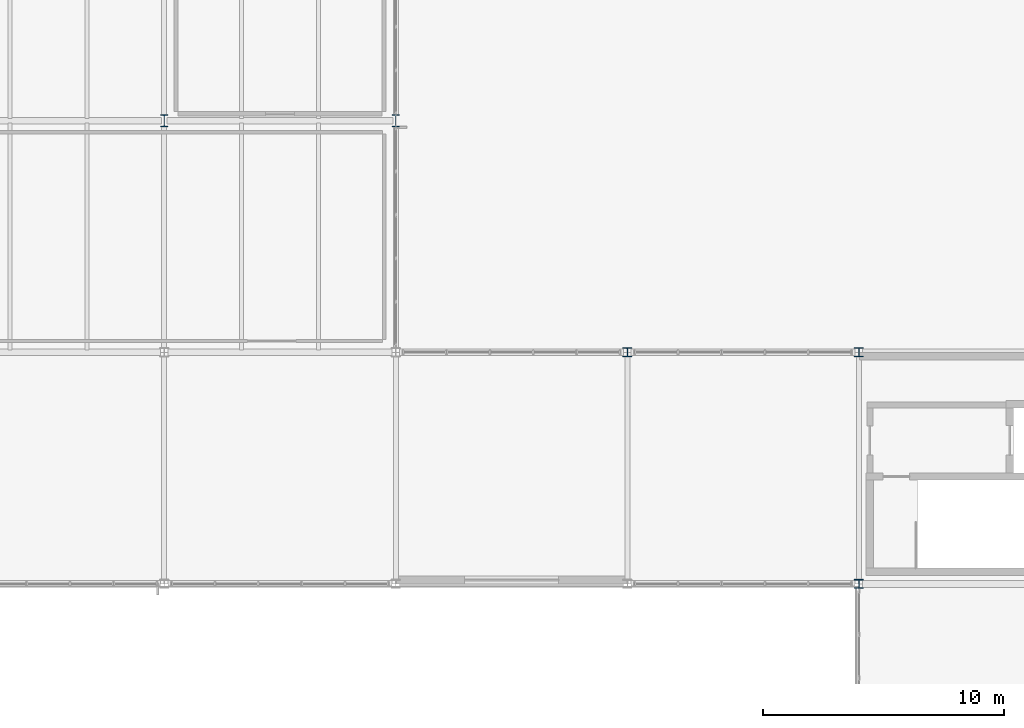
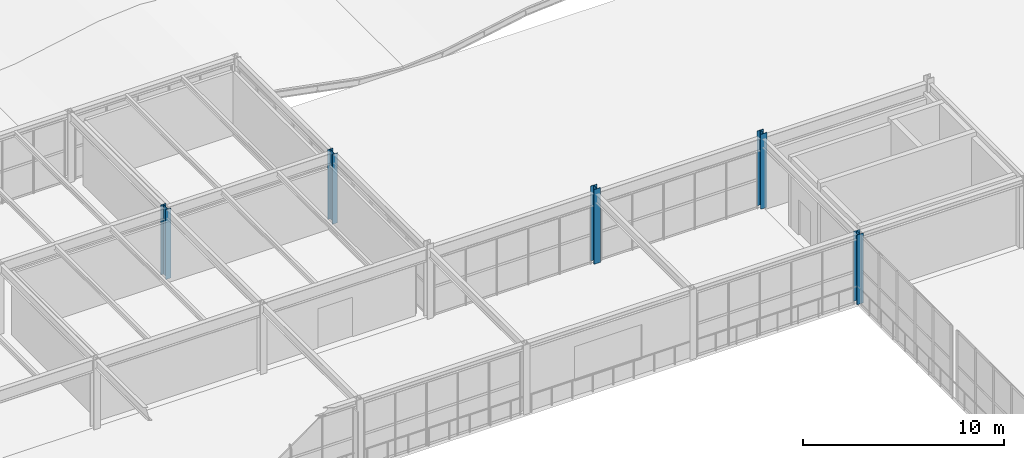
# One storey, part 10 of 170: 5 columns.
"""IFC4 building model written with IfcOpenShell, lengths in metres."""

import ifcopenshell
import ifcopenshell.guid

model = None  # the IFC model being written
_history = None  # IfcOwnerHistory: only IFC2X3 demands one
_inside = {}  # id of a spatial element -> (the spatial element, [elements in it])
_under = {}  # id of a project, library or spatial element -> (it, [spatial elements below it])
_declared = {}  # id of a project -> (the project, [libraries it declares])
_typed = {}  # id of a type object -> (the type object, [elements of that type])
_made_of = {}  # id of a material, layer set ... -> (it, [elements and type objects made of it])


def new_model(schema):
    """Start an empty IFC model of exactly this schema.

    Asked for "IFC4X3", IfcOpenShell would pick the latest addendum, in which some entities
    have other attributes; the version numbers below select the first issue.
    IFC2X3 requires an IfcOwnerHistory on every rooted entity: one is made here for all.
    """
    global model, _history
    if schema == "IFC4X3":
        model = ifcopenshell.file(schema_version=(4, 3, 0, 0))
    else:
        model = ifcopenshell.file(schema=schema)
    _inside.clear()
    _under.clear()
    _declared.clear()
    _typed.clear()
    _made_of.clear()
    _history = None
    if model.schema == "IFC2X3":
        org = make("IfcOrganization", Name="unknown")
        user = make(
            "IfcPersonAndOrganization",
            ThePerson=make("IfcPerson", FamilyName="unknown"),
            TheOrganization=org,
        )
        app = make(
            "IfcApplication",
            ApplicationDeveloper=org,
            Version="unknown",
            ApplicationFullName="unknown",
            ApplicationIdentifier="unknown",
        )
        _history = make(
            "IfcOwnerHistory",
            OwningUser=user,
            OwningApplication=app,
            ChangeAction="ADDED",
            CreationDate=0,
        )
    return model


def make(cls, **values):
    """One entity of the class cls with the attributes given. An attribute that is None is left unset."""
    return model.create_entity(
        cls, **{name: value for name, value in values.items() if value is not None}
    )


def rooted(cls, **values):
    """An entity with a GlobalId (a new one), such as an element, a storey or a relation."""
    return make(cls, GlobalId=ifcopenshell.guid.new(), OwnerHistory=_history, **values)


def si_unit(unit_type, name, prefix=None):
    """IfcSIUnit, for example si_unit("LENGTHUNIT", "METRE", prefix="MILLI")."""
    return make("IfcSIUnit", UnitType=unit_type, Prefix=prefix, Name=name)


def assignment(units):
    """IfcUnitAssignment: the units of a project."""
    return None if units is None else make("IfcUnitAssignment", Units=units)


def point(xyz):
    """IfcCartesianPoint."""
    return None if xyz is None else make("IfcCartesianPoint", Coordinates=xyz)


def direction(xyz):
    """IfcDirection."""
    return None if xyz is None else make("IfcDirection", DirectionRatios=xyz)


def frame(location, z_axis=None, x_axis=None):
    """IfcAxis2Placement3D, a coordinate frame: its origin and axes. An axis left out is left unset."""
    return make(
        "IfcAxis2Placement3D",
        Location=point(location),
        Axis=direction(z_axis),
        RefDirection=direction(x_axis),
    )


def frame_2d(location, x_axis=None):
    """IfcAxis2Placement2D, a coordinate frame in the plane: its origin and x axis."""
    return make(
        "IfcAxis2Placement2D", Location=point(location), RefDirection=direction(x_axis)
    )


def origin():
    """The frame at (0, 0, 0) with its axes left unset."""
    return frame((0.0, 0.0, 0.0))


def origin_2d():
    """The frame at (0, 0) in the plane with its x axis left unset."""
    return frame_2d((0.0, 0.0))


def place(relative_to, where):
    """IfcLocalPlacement: puts the frame where relative to a parent placement (None: the world)."""
    return make(
        "IfcLocalPlacement", PlacementRelTo=relative_to, RelativePlacement=where
    )


def context(
    kind, dimensions, precision=None, world=None, true_north=None, identifier=None
):
    """IfcGeometricRepresentationContext, for example the 3D "Model" context."""
    return make(
        "IfcGeometricRepresentationContext",
        ContextIdentifier=identifier,
        ContextType=kind,
        CoordinateSpaceDimension=dimensions,
        Precision=precision,
        WorldCoordinateSystem=world,
        TrueNorth=true_north,
    )


def subcontext(parent, identifier, kind, view, scale=None):
    """IfcGeometricRepresentationSubContext, for example "Body" below "Model"."""
    return make(
        "IfcGeometricRepresentationSubContext",
        ContextIdentifier=identifier,
        ContextType=kind,
        ParentContext=parent,
        TargetScale=scale,
        TargetView=view,
    )


def project(units=None, contexts=None):
    """IfcProject with its units and contexts."""
    return rooted(
        "IfcProject",
        Name="project",
        RepresentationContexts=contexts,
        UnitsInContext=assignment(units),
    )


def spatial(cls, under=None, at=None, **own):
    """A site, building, storey or space (cls), placed at a placement, below another one or the project."""
    s = rooted(cls, ObjectPlacement=at, **own)
    if under is not None:
        _under.setdefault(under.id(), (under, []))[1].append(s)
    return s


def profile(cls, at=None, kind="AREA", **sizes):
    """A parametric profile (cls). Its sizes go by their IFC names, for example OverallWidth=200.0."""
    return make(cls, ProfileType=kind, Position=at, **sizes)


def i_section(**sizes):
    """IfcIShapeProfileDef."""
    return profile("IfcIShapeProfileDef", **sizes)


def extrude(swept, where, along, depth):
    """IfcExtrudedAreaSolid: the profile swept, set in the frame where, extruded along a direction by depth."""
    return make(
        "IfcExtrudedAreaSolid",
        SweptArea=swept,
        Position=where,
        ExtrudedDirection=direction(along),
        Depth=depth,
    )


def shape(context_of_items, identifier, shape_type, items):
    """IfcShapeRepresentation: the items that make up one representation, for example the "Body"."""
    return make(
        "IfcShapeRepresentation",
        ContextOfItems=context_of_items,
        RepresentationIdentifier=identifier,
        RepresentationType=shape_type,
        Items=items,
    )


def material(Name=None, Category=None):
    """IfcMaterial."""
    return make("IfcMaterial", Name=Name, Category=Category)


def material_profile(
    of_material, cross_section, Name=None, Category=None, Priority=None
):
    """IfcMaterialProfile: a cross section and its material."""
    return make(
        "IfcMaterialProfile",
        Name=Name,
        Material=of_material,
        Profile=cross_section,
        Priority=Priority,
        Category=Category,
    )


def profile_set(profiles, Name=None, composite=None):
    """IfcMaterialProfileSet."""
    return make(
        "IfcMaterialProfileSet",
        Name=Name,
        MaterialProfiles=profiles,
        CompositeProfile=composite,
    )


def made_of(thing, what):
    """Note that an element or type object is made of a material, layer set ...; save() writes the relation."""
    if what is not None:
        _made_of.setdefault(what.id(), (what, []))[1].append(thing)
    return thing


def type_object(cls, material=None, **own):
    """A type object (cls), such as IfcWallType, which elements share."""
    return made_of(rooted(cls, **own), material)


def element(
    cls,
    number,
    at=None,
    inside=None,
    cuts=None,
    type_object=None,
    material=None,
    context=None,
    identifier="Body",
    shape_type=None,
    held_by="IfcProductDefinitionShape",
    body=None,
    shapes=None,
    **own,
):
    """One element of the class cls, such as IfcWall. Its Tag is "e" and its number.

    at: its placement. inside: the storey or other place that contains it. cuts: it is an
    opening in that element (IfcRelVoidsElement). A single representation is given by context,
    identifier, shape_type and body (its items); several are given by shapes. held_by: the class
    of the entity that holds the representations. save() writes the other relations.
    """
    e = rooted(cls, Tag="e%d" % number, ObjectPlacement=at, **own)
    if body is not None:
        shapes = [shape(context, identifier, shape_type, body)]
    if shapes is not None:
        e.Representation = make(held_by, Representations=shapes)
    if inside is not None:
        _inside.setdefault(inside.id(), (inside, []))[1].append(e)
    if cuts is not None:
        rooted(
            "IfcRelVoidsElement", RelatingBuildingElement=cuts, RelatedOpeningElement=e
        )
    if type_object is not None:
        _typed.setdefault(type_object.id(), (type_object, []))[1].append(e)
    return made_of(e, material)


def aggregate(whole, parts):
    """IfcRelAggregates: a whole, such as a stair, and the parts it consists of."""
    return rooted("IfcRelAggregates", RelatingObject=whole, RelatedObjects=parts)


def save(model, path):
    """Write the relations noted so far, then the file.

    IfcRelAggregates (storeys below a building ...), IfcRelContainedInSpatialStructure (elements
    in a storey), IfcRelDefinesByType, IfcRelAssociatesMaterial and IfcRelDeclares: one each for
    every whole, place, type object, material and project.
    """
    for whole, parts in _under.values():
        aggregate(whole, parts)
    for where, things in _inside.values():
        rooted(
            "IfcRelContainedInSpatialStructure",
            RelatedElements=things,
            RelatingStructure=where,
        )
    for kind, things in _typed.values():
        rooted("IfcRelDefinesByType", RelatedObjects=things, RelatingType=kind)
    for what, things in _made_of.values():
        rooted("IfcRelAssociatesMaterial", RelatedObjects=things, RelatingMaterial=what)
    for by, libraries in _declared.values():
        rooted("IfcRelDeclares", RelatingContext=by, RelatedDefinitions=libraries)
    model.write(path)


model = new_model("IFC4")

# Units and contexts
model_context = context("Model", 3, precision=1e-05, world=origin(), true_north=direction((0.0, 1.0)))
body_context = subcontext(model_context, "Body", "Model", "MODEL_VIEW")
ifc_project = project(units=[si_unit("LENGTHUNIT", "METRE"), si_unit("AREAUNIT", "SQUARE_METRE"), si_unit("VOLUMEUNIT", "CUBIC_METRE"), si_unit("PLANEANGLEUNIT", "RADIAN"), si_unit("MASSUNIT", "GRAM", prefix="KILO")], contexts=[model_context])

# Site, building, storey
site_placement = place(None, origin())
site = spatial("IfcSite", under=ifc_project, at=site_placement, CompositionType="ELEMENT")
building_placement = place(site_placement, origin())
building = spatial("IfcBuilding", under=site, at=building_placement, Name="Coralgate Yard Interchange", CompositionType="ELEMENT")
storey_placement = place(building_placement, frame((0.0, 0.0, 6.0)))
storey = spatial("IfcBuildingStorey", under=building, at=storey_placement, Name="L01", CompositionType="ELEMENT", Elevation=6.0)

# Columns
ifc_material = material(Name="Structural steel S355J2", Category="steel")
ifc_material_profile_1 = material_profile(ifc_material, i_section(OverallWidth=0.300048828125, OverallDepth=0.5, WebThickness=0.014404296875, FlangeThickness=0.028076171875, FilletRadius=0.027099609375, at=origin_2d()), Name="HEB 500")
ifc_profile_set_1 = profile_set([ifc_material_profile_1], Name="Structural steel S355J2")
column_type_1 = type_object("IfcColumnType", Name="COL-SC-10", PredefinedType="COLUMN", material=ifc_profile_set_1)
for number, where, z_axis, x_axis, name in (
    (1, (96.0, 86.39990234375, 0.0), (0.0, 0.0, 1.0), (1.0, 0.0, 0.0), "L01 structural column 10-9"),
    (2, (105.60009765625, 86.39990234375, 0.0), (0.0, 0.0, 1.0), (1.0, 0.0, 0.0), "L01 structural column 11-9"),
):
    element("IfcColumn", number, at=place(storey_placement, frame(where, z_axis=z_axis, x_axis=x_axis)), inside=storey, type_object=column_type_1, Name=name, PredefinedType="COLUMN", context=body_context, shape_type="SweptSolid", body=[
        extrude(i_section(OverallWidth=0.300048828125, OverallDepth=0.5, WebThickness=0.014404296875, FlangeThickness=0.028076171875, FilletRadius=0.027099609375, at=origin_2d()), origin(), (0.0, 0.0, 1.0), 4.25),
    ])
ifc_material_profile_2 = material_profile(ifc_material, i_section(OverallWidth=0.37255859375, OverallDepth=0.3681640625, WebThickness=0.014404296875, FlangeThickness=0.023681640625, FilletRadius=0.01513671875, at=origin_2d()), Name="UC 356x368x177")
ifc_profile_set_2 = profile_set([ifc_material_profile_2], Name="Structural steel S355J2")
column_type_2 = type_object("IfcColumnType", Name="COL-SC-3", PredefinedType="COLUMN", material=ifc_profile_set_2)
column_1_placement = place(storey_placement, frame((115.199951171875, 76.800048828125, 0.0), z_axis=(0.0, 0.0, 1.0), x_axis=(1.0, 0.0, 0.0)))
element("IfcColumn", 3, at=column_1_placement, inside=storey, type_object=column_type_2, Name="L01 structural column 12-8", PredefinedType="COLUMN", context=body_context, shape_type="SweptSolid", body=[
    extrude(i_section(OverallWidth=0.37255859375, OverallDepth=0.3681640625, WebThickness=0.014404296875, FlangeThickness=0.023681640625, FilletRadius=0.01513671875, at=origin_2d()), origin(), (0.0, 0.0, 1.0), 4.550048828125),
])
column_2_placement = place(storey_placement, frame((124.800048828125, 67.199951171875, 0.0), z_axis=(0.0, 0.0, 1.0), x_axis=(1.0, 0.0, 0.0)))
element("IfcColumn", 4, at=column_2_placement, inside=storey, type_object=column_type_2, Name="L01 structural column 13-7", PredefinedType="COLUMN", context=body_context, shape_type="SweptSolid", body=[
    extrude(i_section(OverallWidth=0.37255859375, OverallDepth=0.3681640625, WebThickness=0.014404296875, FlangeThickness=0.023681640625, FilletRadius=0.01513671875, at=origin_2d()), origin(), (0.0, 0.0, 1.0), 4.25),
])
column_3_placement = place(storey_placement, frame((124.800048828125, 76.800048828125, 0.0), z_axis=(0.0, 0.0, 1.0), x_axis=(1.0, 0.0, 0.0)))
element("IfcColumn", 5, at=column_3_placement, inside=storey, type_object=column_type_2, Name="L01 structural column 13-8", PredefinedType="COLUMN", context=body_context, shape_type="SweptSolid", body=[
    extrude(i_section(OverallWidth=0.37255859375, OverallDepth=0.3681640625, WebThickness=0.014404296875, FlangeThickness=0.023681640625, FilletRadius=0.01513671875, at=origin_2d()), origin(), (0.0, 0.0, 1.0), 4.550048828125),
])

save(model, "model.ifc")
